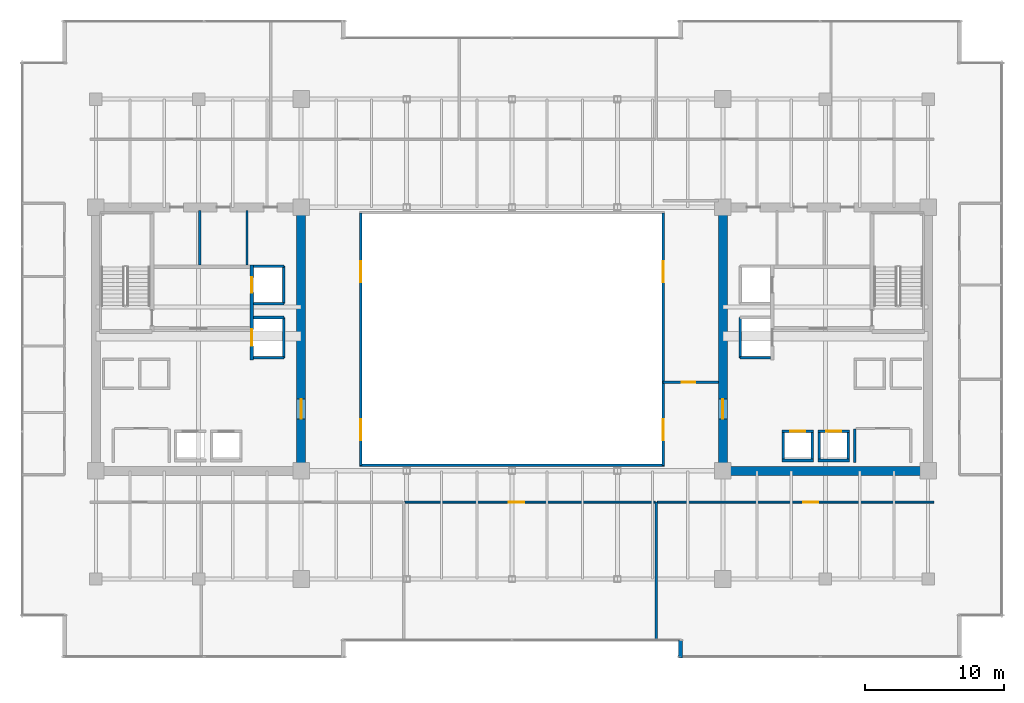
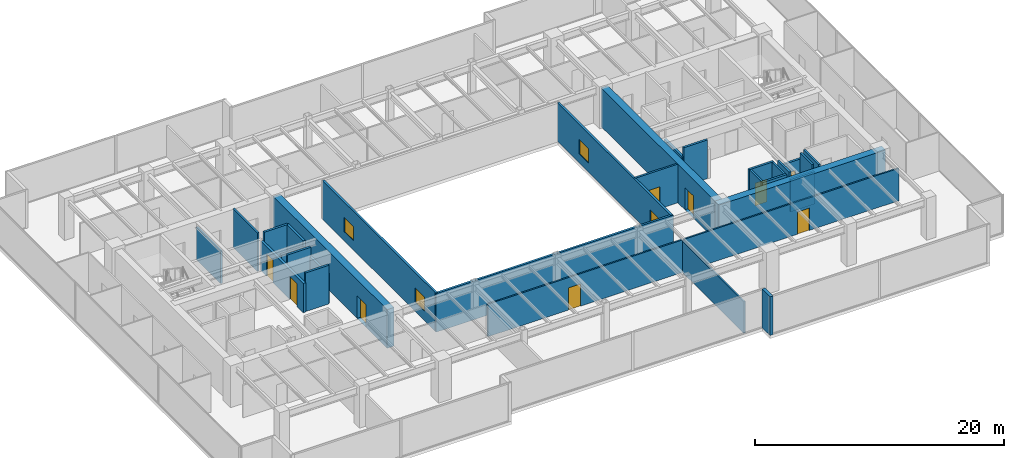
# One storey, part 26 of 31: 31 walls, 9 doors, 4 windows, 13 openings.
"""IFC4 building model written with IfcOpenShell, lengths in metres."""

from ifc_helpers import new_model, si_unit, direction, frame, frame_2d, origin, place, context, subcontext, project, spatial, rectangle, extrude, source, transform, mapped, material, layer, layer_set, type_object, type_shapes, element, fill, save


model = new_model("IFC4")

# Units and contexts
model_context = context("Model", 3, precision=1e-05, world=origin(), true_north=direction((0.0, 1.0)))
body_context = subcontext(model_context, "Body", "Model", "MODEL_VIEW")
ifc_project = project(units=[si_unit("LENGTHUNIT", "METRE"), si_unit("AREAUNIT", "SQUARE_METRE"), si_unit("VOLUMEUNIT", "CUBIC_METRE"), si_unit("PLANEANGLEUNIT", "RADIAN"), si_unit("MASSUNIT", "GRAM", prefix="KILO")], contexts=[model_context])

# Site, building, storey
site_placement = place(None, origin())
site = spatial("IfcSite", under=ifc_project, at=site_placement, CompositionType="ELEMENT")
building_placement = place(site_placement, origin())
building = spatial("IfcBuilding", under=site, at=building_placement, Name="Haelvirn Gate Laboratories", CompositionType="ELEMENT")
storey_placement = place(building_placement, frame((0.0, 0.0, 150.199951171875)))
storey = spatial("IfcBuildingStorey", under=building, at=storey_placement, Name="L36", CompositionType="ELEMENT", Elevation=150.199951171875)

# Walls
ifc_material_1 = material(Name="Thermally-broken bronze aluminium rainscreen & mineral wool", Category="aluminium")
ifc_layer_1 = layer(ifc_material_1, 0.280029296875, Name="EW-TERR-280")
ifc_layer_set_1 = layer_set([ifc_layer_1], Name="Thermally-broken bronze aluminium rainscreen & mineral wool")
wall_type_1 = type_object("IfcWallType", Name="EW-TERR-280", PredefinedType="STANDARD", material=ifc_layer_set_1)
wall_1_placement = place(storey_placement, frame((49.5400390625, 2.587890625, 0.0), z_axis=(0.0, 0.0, 1.0), x_axis=(0.0, -1.0, 0.0)))
element("IfcWall", 1, at=wall_1_placement, inside=storey, type_object=wall_type_1, Name="L36 Atrium Recess Bronze Return Wall 03", PredefinedType="STANDARD", context=body_context, shape_type="SweptSolid", body=[
    extrude(rectangle(XDim=1.287841796875, YDim=0.280029296875, at=frame_2d((0.64404296875, 0.0))), origin(), (0.0, 0.0, 1.0), 3.7900390625),
])
ifc_material_2 = material(Name="Double-layer acoustic gypsum laboratory partition", Category="gypsum")
ifc_layer_2 = layer(ifc_material_2, 0.159912109375, Name="IW-ACOUST-160")
ifc_layer_set_2 = layer_set([ifc_layer_2], Name="Double-layer acoustic gypsum laboratory partition")
wall_type_2 = type_object("IfcWallType", Name="IW-ACOUST-160", PredefinedType="PARTITIONING", material=ifc_layer_set_2)
wall_2_placement = place(storey_placement, frame((47.800048828125, 2.610107421875, 0.0), z_axis=(0.0, 0.0, 1.0), x_axis=(0.0, 1.0, 0.0)))
element("IfcWall", 2, at=wall_2_placement, inside=storey, type_object=wall_type_2, Name="L36 Interior Wall IW-L36-SDIV-03", PredefinedType="PARTITIONING", context=body_context, shape_type="SweptSolid", body=[
    extrude(rectangle(XDim=9.929931640625, YDim=0.159912109375, at=frame_2d((4.96484375, 0.0))), origin(), (0.0, 0.0, 1.0), 3.074951171875),
])

# Wall, opening, door
ifc_material_3 = material(Name="Fire-rated acoustic gypsum board partition", Category="gypsum")
ifc_layer_3 = layer(ifc_material_3, 0.175048828125, Name="IW-ACOUST-180")
ifc_layer_set_3 = layer_set([ifc_layer_3], Name="Fire-rated acoustic gypsum board partition")
wall_type_3 = type_object("IfcWallType", Name="IW-ACOUST-180", PredefinedType="PARTITIONING", material=ifc_layer_set_3)
wall_3_placement = place(storey_placement, frame((48.300048828125, 21.179931640625, 0.0), z_axis=(0.0, 0.0, 1.0), x_axis=(1.0, 0.0, 0.0)))
wall_3 = element("IfcWall", 3, at=wall_3_placement, inside=storey, type_object=wall_type_3, Name="L36 Interior Wall IW-L36-ASEM-S", PredefinedType="PARTITIONING", context=body_context, shape_type="SweptSolid", body=[
    extrude(rectangle(XDim=3.974853515625, YDim=0.175048828125, at=frame_2d((1.9873046875, 0.0))), origin(), (0.0, 0.0, 1.0), 3.7900390625),
])
opening_1_placement = place(wall_3_placement, frame((1.35009765625, 0.0, 0.0)))
opening_1 = element("IfcOpeningElement", 4, at=opening_1_placement, cuts=wall_3, Name="Opening FD4", PredefinedType="OPENING", context=body_context, shape_type="SweptSolid", body=[
    extrude(rectangle(XDim=0.949951171875, YDim=2.14990234375, at=frame_2d((0.47509765625, 1.074951171875))), frame((0.0, 0.09765625, 0.0), z_axis=(0.0, -1.0, 0.0), x_axis=(1.0, 0.0, 0.0)), (0.0, 0.0, 1.0), 0.195068359375),
])
ifc_material_4 = material(Name="Fire-rated steel SM355 core service door", Category="steel")
door_type_1 = type_object("IfcDoorType", Name="DR-FD-950", OperationType="NOTDEFINED", PredefinedType="DOOR", material=ifc_material_4)
shared_shape_1 = source(origin(), body_context, "Body", "SweptSolid", [
    extrude(rectangle(XDim=0.949951171875, YDim=2.14990234375, at=frame_2d((0.47509765625, 1.074951171875))), frame((0.0, 0.02490234375, 0.0), z_axis=(0.0, -1.0, 0.0), x_axis=(1.0, 0.0, 0.0)), (0.0, 0.0, 1.0), 0.050048828125),
])
type_shapes(door_type_1, [shared_shape_1])
door_1_placement = place(opening_1_placement, origin())
door_1 = element("IfcDoor", 5, at=door_1_placement, inside=storey, type_object=door_type_1, Name="L36 Atrium Bioinformatics Suite Door", OperationType="SINGLE_SWING_LEFT", OverallHeight=2.14990234375, OverallWidth=0.949951171875, PredefinedType="DOOR", context=body_context, shape_type="MappedRepresentation", body=[
    mapped(shared_shape_1, transform((0.0, 0.0, 0.0), scale=1.0)),
])
fill(opening_1, door_1)

# Wall, openings, windows
ifc_material_5 = material(Name="Tempered fire-rated borosilicate glass & anodised aluminium", Category="aluminium")
ifc_layer_4 = layer(ifc_material_5, 0.195068359375, Name="IW-GLAZ-200")
ifc_layer_set_4 = layer_set([ifc_layer_4], Name="Tempered fire-rated borosilicate glass & anodised aluminium")
wall_type_4 = type_object("IfcWallType", Name="IW-GLAZ-200", PredefinedType="SOLIDWALL", material=ifc_layer_set_4)
wall_4_placement = place(storey_placement, frame((26.5, 15.199951171875, 0.0), z_axis=(0.0, 0.0, 1.0), x_axis=(0.0, 1.0, 0.0)))
wall_4 = element("IfcWall", 6, at=wall_4_placement, inside=storey, type_object=wall_type_4, Name="L36 Interior Wall IW-L36-ATRIUM-W", PredefinedType="SOLIDWALL", context=body_context, shape_type="SweptSolid", body=[
    extrude(rectangle(XDim=18.199951171875, YDim=0.195068359375, at=frame_2d((9.10009765625, 0.0))), origin(), (0.0, 0.0, 1.0), 3.7900390625),
])
opening_2_placement = place(wall_4_placement, frame((1.800048828125, 0.0, 0.89990234375)))
opening_2 = element("IfcOpeningElement", 7, at=opening_2_placement, cuts=wall_4, Name="Opening W5", PredefinedType="OPENING", context=body_context, shape_type="SweptSolid", body=[
    extrude(rectangle(XDim=1.5, YDim=1.39990234375, at=frame_2d((0.75, 0.699951171875))), frame((0.0, 0.107421875, 0.0), z_axis=(0.0, -1.0, 0.0), x_axis=(1.0, 0.0, 0.0)), (0.0, 0.0, 1.0), 0.215087890625),
])
opening_3_placement = place(wall_4_placement, frame((13.199951171875, 0.0, 0.89990234375)))
opening_3 = element("IfcOpeningElement", 8, at=opening_3_placement, cuts=wall_4, Name="Opening W5", PredefinedType="OPENING", context=body_context, shape_type="SweptSolid", body=[
    extrude(rectangle(XDim=1.5, YDim=1.39990234375, at=frame_2d((0.75, 0.699951171875))), frame((0.0, 0.107421875, 0.0), z_axis=(0.0, -1.0, 0.0), x_axis=(1.0, 0.0, 0.0)), (0.0, 0.0, 1.0), 0.215087890625),
])
ifc_material_6 = material(Name="Fire-rated EI 120 borosilicate atrium vision glazing", Category="glass")
window_type = type_object("IfcWindowType", Name="WN-ATR-1500", PartitioningType="SINGLE_PANEL", PredefinedType="WINDOW", material=ifc_material_6)
shared_shape_2 = source(origin(), body_context, "Body", "SweptSolid", [
    extrude(rectangle(XDim=1.5, YDim=1.39990234375, at=frame_2d((0.75, 0.699951171875))), frame((0.0, 0.030029296875, 0.0), z_axis=(0.0, -1.0, 0.0), x_axis=(1.0, 0.0, 0.0)), (0.0, 0.0, 1.0), 0.06005859375),
])
type_shapes(window_type, [shared_shape_2])
window_1_placement = place(opening_2_placement, origin())
window_1 = element("IfcWindow", 9, at=window_1_placement, inside=storey, type_object=window_type, Name="L36 Atrium Observation Window 1", OverallHeight=1.39990234375, OverallWidth=1.5, PartitioningType="SINGLE_PANEL", PredefinedType="WINDOW", context=body_context, shape_type="MappedRepresentation", body=[
    mapped(shared_shape_2, transform((0.0, 0.0, 0.0), scale=1.0)),
])
fill(opening_2, window_1)
window_2_placement = place(opening_3_placement, origin())
window_2 = element("IfcWindow", 10, at=window_2_placement, inside=storey, type_object=window_type, Name="L36 Atrium Observation Window 2", OverallHeight=1.39990234375, OverallWidth=1.5, PartitioningType="SINGLE_PANEL", PredefinedType="WINDOW", context=body_context, shape_type="MappedRepresentation", body=[
    mapped(shared_shape_2, transform((0.0, 0.0, 0.0), scale=1.0)),
])
fill(opening_3, window_2)

wall_5_placement = place(storey_placement, frame((48.300048828125, 15.199951171875, 0.0), z_axis=(0.0, 0.0, 1.0), x_axis=(0.0, 1.0, 0.0)))
wall_5 = element("IfcWall", 11, at=wall_5_placement, inside=storey, type_object=wall_type_4, Name="L36 Interior Wall IW-L36-ATRIUM-E", PredefinedType="SOLIDWALL", context=body_context, shape_type="SweptSolid", body=[
    extrude(rectangle(XDim=18.199951171875, YDim=0.195068359375, at=frame_2d((9.10009765625, 0.0))), origin(), (0.0, 0.0, 1.0), 3.7900390625),
])
opening_4_placement = place(wall_5_placement, frame((1.800048828125, 0.0, 0.89990234375)))
opening_4 = element("IfcOpeningElement", 12, at=opening_4_placement, cuts=wall_5, Name="Opening W5", PredefinedType="OPENING", context=body_context, shape_type="SweptSolid", body=[
    extrude(rectangle(XDim=1.5, YDim=1.39990234375, at=frame_2d((0.75, 0.699951171875))), frame((0.0, 0.107421875, 0.0), z_axis=(0.0, -1.0, 0.0), x_axis=(1.0, 0.0, 0.0)), (0.0, 0.0, 1.0), 0.215087890625),
])
opening_5_placement = place(wall_5_placement, frame((13.199951171875, 0.0, 0.89990234375)))
opening_5 = element("IfcOpeningElement", 13, at=opening_5_placement, cuts=wall_5, Name="Opening W5", PredefinedType="OPENING", context=body_context, shape_type="SweptSolid", body=[
    extrude(rectangle(XDim=1.5, YDim=1.39990234375, at=frame_2d((0.75, 0.699951171875))), frame((0.0, 0.107421875, 0.0), z_axis=(0.0, -1.0, 0.0), x_axis=(1.0, 0.0, 0.0)), (0.0, 0.0, 1.0), 0.215087890625),
])
window_3_placement = place(opening_4_placement, origin())
window_3 = element("IfcWindow", 14, at=window_3_placement, inside=storey, type_object=window_type, Name="L36 Atrium Observation Window 1", OverallHeight=1.39990234375, OverallWidth=1.5, PartitioningType="SINGLE_PANEL", PredefinedType="WINDOW", context=body_context, shape_type="MappedRepresentation", body=[
    mapped(shared_shape_2, transform((0.0, 0.0, 0.0), scale=1.0)),
])
fill(opening_4, window_3)
window_4_placement = place(opening_5_placement, origin())
window_4 = element("IfcWindow", 15, at=window_4_placement, inside=storey, type_object=window_type, Name="L36 Atrium Observation Window 2", OverallHeight=1.39990234375, OverallWidth=1.5, PartitioningType="SINGLE_PANEL", PredefinedType="WINDOW", context=body_context, shape_type="MappedRepresentation", body=[
    mapped(shared_shape_2, transform((0.0, 0.0, 0.0), scale=1.0)),
])
fill(opening_5, window_4)

# Wall
wall_6_placement = place(storey_placement, frame((26.39990234375, 15.199951171875, 0.0), z_axis=(0.0, 0.0, 1.0), x_axis=(1.0, 0.0, 0.0)))
element("IfcWall", 16, at=wall_6_placement, inside=storey, type_object=wall_type_4, Name="L36 Interior Wall IW-L36-ATRIUM-S", PredefinedType="SOLIDWALL", context=body_context, shape_type="SweptSolid", body=[
    extrude(rectangle(XDim=22.0, YDim=0.195068359375, at=frame_2d((11.0, 0.0))), origin(), (0.0, 0.0, 1.0), 3.7900390625),
])

# Wall, opening, door
ifc_material_7 = material(Name="Acoustic mineral-wool gypsum board partition", Category="gypsum")
ifc_layer_5 = layer(ifc_material_7, 0.139892578125, Name="IW-PART-140")
ifc_layer_set_5 = layer_set([ifc_layer_5], Name="Acoustic mineral-wool gypsum board partition")
wall_type_5 = type_object("IfcWallType", Name="IW-PART-140", PredefinedType="PARTITIONING", material=ifc_layer_set_5)
wall_7_placement = place(storey_placement, frame((29.679931640625, 12.5400390625, 0.0), z_axis=(0.0, 0.0, 1.0), x_axis=(1.0, 0.0, 0.0)))
wall_7 = element("IfcWall", 17, at=wall_7_placement, inside=storey, type_object=wall_type_5, Name="L36 Interior Wall IW-L36-SCORR-03", PredefinedType="PARTITIONING", context=body_context, shape_type="SweptSolid", body=[
    extrude(rectangle(XDim=18.0400390625, YDim=0.139892578125, at=frame_2d((9.02001953125, 0.0))), origin(), (0.0, 0.0, 1.0), 3.18701171875),
])
opening_6_placement = place(wall_7_placement, frame((7.49560546875, 0.0, 0.0)))
opening_6 = element("IfcOpeningElement", 18, at=opening_6_placement, cuts=wall_7, Name="Opening D1", PredefinedType="OPENING", context=body_context, shape_type="SweptSolid", body=[
    extrude(rectangle(XDim=1.10009765625, YDim=2.179931640625, at=frame_2d((0.550048828125, 1.08984375))), frame((0.0, 0.080078125, 0.0), z_axis=(0.0, -1.0, 0.0), x_axis=(1.0, 0.0, 0.0)), (0.0, 0.0, 1.0), 0.159912109375),
])
ifc_material_8 = material(Name="Vision-panel acoustic solid-core timber lab door", Category="wood")
door_type_2 = type_object("IfcDoorType", Name="DR-LAB-1100", OperationType="NOTDEFINED", PredefinedType="DOOR", material=ifc_material_8)
shared_shape_3 = source(origin(), body_context, "Body", "SweptSolid", [
    extrude(rectangle(XDim=1.10009765625, YDim=2.179931640625, at=frame_2d((0.550048828125, 1.08984375))), frame((0.0, 0.02490234375, 0.0), z_axis=(0.0, -1.0, 0.0), x_axis=(1.0, 0.0, 0.0)), (0.0, 0.0, 1.0), 0.050048828125),
])
type_shapes(door_type_2, [shared_shape_3])
door_2_placement = place(opening_6_placement, origin())
door_2 = element("IfcDoor", 19, at=door_2_placement, inside=storey, type_object=door_type_2, Name="L36 Protocol Briefing Training Room Door S3", OperationType="SINGLE_SWING_LEFT", OverallHeight=2.179931640625, OverallWidth=1.10009765625, PredefinedType="DOOR", context=body_context, shape_type="MappedRepresentation", body=[
    mapped(shared_shape_3, transform((0.0, 0.0, 0.0), scale=1.0)),
])
fill(opening_6, door_2)

wall_8_placement = place(storey_placement, frame((47.8798828125, 12.5400390625, 0.0), z_axis=(0.0, 0.0, 1.0), x_axis=(1.0, 0.0, 0.0)))
wall_8 = element("IfcWall", 20, at=wall_8_placement, inside=storey, type_object=wall_type_5, Name="L36 Interior Wall IW-L36-SCORR-04", PredefinedType="PARTITIONING", context=body_context, shape_type="SweptSolid", body=[
    extrude(rectangle(XDim=19.940185546875, YDim=0.139892578125, at=frame_2d((9.97021484375, 0.0))), origin(), (0.0, 0.0, 1.0), 3.18701171875),
])
opening_7_placement = place(wall_8_placement, frame((10.50830078125, 0.0, 0.0)))
opening_7 = element("IfcOpeningElement", 21, at=opening_7_placement, cuts=wall_8, Name="Opening D1", PredefinedType="OPENING", context=body_context, shape_type="SweptSolid", body=[
    extrude(rectangle(XDim=1.10009765625, YDim=2.179931640625, at=frame_2d((0.550048828125, 1.08984375))), frame((0.0, 0.080078125, 0.0), z_axis=(0.0, -1.0, 0.0), x_axis=(1.0, 0.0, 0.0)), (0.0, 0.0, 1.0), 0.159912109375),
])
door_3_placement = place(opening_7_placement, origin())
door_3 = element("IfcDoor", 22, at=door_3_placement, inside=storey, type_object=door_type_2, Name="L36 Peer-Review Seminar Room Door S4", OperationType="SINGLE_SWING_RIGHT", OverallHeight=2.179931640625, OverallWidth=1.10009765625, PredefinedType="DOOR", context=body_context, shape_type="MappedRepresentation", body=[
    mapped(shared_shape_3, transform((0.0, 0.0, 0.0), scale=1.0)),
])
fill(opening_7, door_3)

# Walls
ifc_material_9 = material(Name="Cement-board restroom plumbing chase wall", Category="gypsum")
ifc_layer_6 = layer(ifc_material_9, 0.155029296875, Name="IW-PLUMB-160")
ifc_layer_set_6 = layer_set([ifc_layer_6], Name="Cement-board restroom plumbing chase wall")
wall_type_6 = type_object("IfcWallType", Name="IW-PLUMB-160", PredefinedType="PLUMBINGWALL", material=ifc_layer_set_6)
wall_9_placement = place(storey_placement, frame((14.889892578125, 29.64990234375, 0.0), z_axis=(0.0, 0.0, 1.0), x_axis=(0.0, 1.0, 0.0)))
element("IfcWall", 23, at=wall_9_placement, inside=storey, type_object=wall_type_6, Name="L36 Interior Wall IW-L36-W-CDIV-1", PredefinedType="PLUMBINGWALL", context=body_context, shape_type="SweptSolid", body=[
    extrude(rectangle(XDim=3.93017578125, YDim=0.155029296875, at=frame_2d((1.965087890625, 0.0))), origin(), (0.0, 0.0, 1.0), 3.18701171875),
])
wall_10_placement = place(storey_placement, frame((18.2900390625, 29.64990234375, 0.0), z_axis=(0.0, 0.0, 1.0), x_axis=(0.0, 1.0, 0.0)))
element("IfcWall", 24, at=wall_10_placement, inside=storey, type_object=wall_type_6, Name="L36 Interior Wall IW-L36-W-CDIV-2", PredefinedType="PLUMBINGWALL", context=body_context, shape_type="SweptSolid", body=[
    extrude(rectangle(XDim=3.93017578125, YDim=0.155029296875, at=frame_2d((1.965087890625, 0.0))), origin(), (0.0, 0.0, 1.0), 3.7900390625),
])
ifc_material_10 = material(Name="Concrete C40/50", Category="concrete")
ifc_layer_7 = layer(ifc_material_10, 0.179931640625, Name="IW-SHAFT-180")
ifc_layer_set_7 = layer_set([ifc_layer_7], Name="Concrete C40/50")
wall_type_7 = type_object("IfcWallType", Name="IW-SHAFT-180", PredefinedType="SOLIDWALL", material=ifc_layer_set_7)
for number, where, z_axis, x_axis, name in (
    (25, (59.550048828125, 15.64990234375, 0.0), (0.0, 0.0, 1.0), (0.0, 1.0, 0.0), "L36 Interior Wall IW-L36-PL7-SD"),
    (26, (61.64990234375, 15.64990234375, 0.0), (0.0, 0.0, 1.0), (0.0, 1.0, 0.0), "L36 Interior Wall IW-L36-PL7-SDE"),
    (27, (56.949951171875, 15.64990234375, 0.0), (0.0, 0.0, 1.0), (0.0, 1.0, 0.0), "L36 Interior Wall IW-L36-PL8-SD"),
    (28, (59.050048828125, 15.64990234375, 0.0), (0.0, 0.0, 1.0), (0.0, 1.0, 0.0), "L36 Interior Wall IW-L36-PL8-SDE"),
):
    element("IfcWall", number, at=place(storey_placement, frame(where, z_axis=z_axis, x_axis=x_axis)), inside=storey, type_object=wall_type_7, Name=name, PredefinedType="SOLIDWALL", context=body_context, shape_type="SweptSolid", body=[
        extrude(rectangle(XDim=1.900146484375, YDim=0.179931640625, at=frame_2d((0.9501953125, 0.0))), origin(), (0.0, 0.0, 1.0), 3.7900390625),
    ])
wall_11_placement = place(storey_placement, frame((62.110107421875, 15.39990234375, 0.0), z_axis=(0.0, 0.0, 1.0), x_axis=(0.0, 1.0, 0.0)))
element("IfcWall", 29, at=wall_11_placement, inside=storey, type_object=wall_type_7, Name="L36 Interior Wall IW-L36-E-FREED-LE-1", PredefinedType="SOLIDWALL", context=body_context, shape_type="SweptSolid", body=[
    extrude(rectangle(XDim=2.400146484375, YDim=0.179931640625, at=frame_2d((1.2001953125, 0.0))), origin(), (0.0, 0.0, 1.0), 3.7900390625),
])
ifc_layer_8 = layer(ifc_material_10, 0.199951171875, Name="IW-SHAFT-200")
ifc_layer_set_8 = layer_set([ifc_layer_8], Name="Concrete C40/50")
wall_type_8 = type_object("IfcWallType", Name="IW-SHAFT-200", PredefinedType="SOLIDWALL", material=ifc_layer_set_8)
wall_12_placement = place(storey_placement, frame((20.949951171875, 26.85009765625, 0.0), z_axis=(0.0, 0.0, 1.0), x_axis=(0.0, 1.0, 0.0)))
element("IfcWall", 30, at=wall_12_placement, inside=storey, type_object=wall_type_8, Name="L36 Interior Wall IW-L36-FL1-BK", PredefinedType="SOLIDWALL", context=body_context, shape_type="SweptSolid", body=[
    extrude(rectangle(XDim=2.699951171875, YDim=0.199951171875, at=frame_2d((1.35009765625, 0.0))), origin(), (0.0, 0.0, 1.0), 3.7900390625),
])
wall_13_placement = place(storey_placement, frame((18.760009765625, 29.550048828125, 0.0), z_axis=(0.0, 0.0, 1.0), x_axis=(1.0, 0.0, 0.0)))
element("IfcWall", 31, at=wall_13_placement, inside=storey, type_object=wall_type_8, Name="L36 Interior Wall IW-L36-FL1-N", PredefinedType="SOLIDWALL", context=body_context, shape_type="SweptSolid", body=[
    extrude(rectangle(XDim=2.18994140625, YDim=0.199951171875, at=frame_2d((1.094970703125, 0.0))), origin(), (0.0, 0.0, 1.0), 3.7900390625),
])
wall_14_placement = place(storey_placement, frame((18.760009765625, 26.85009765625, 0.0), z_axis=(0.0, 0.0, 1.0), x_axis=(1.0, 0.0, 0.0)))
element("IfcWall", 32, at=wall_14_placement, inside=storey, type_object=wall_type_8, Name="L36 Interior Wall IW-L36-FL1-S", PredefinedType="SOLIDWALL", context=body_context, shape_type="SweptSolid", body=[
    extrude(rectangle(XDim=2.18994140625, YDim=0.199951171875, at=frame_2d((1.094970703125, 0.0))), origin(), (0.0, 0.0, 1.0), 3.18701171875),
])
wall_15_placement = place(storey_placement, frame((20.949951171875, 22.949951171875, 0.0), z_axis=(0.0, 0.0, 1.0), x_axis=(0.0, 1.0, 0.0)))
element("IfcWall", 33, at=wall_15_placement, inside=storey, type_object=wall_type_8, Name="L36 Interior Wall IW-L36-SL1-BK", PredefinedType="SOLIDWALL", context=body_context, shape_type="SweptSolid", body=[
    extrude(rectangle(XDim=2.900146484375, YDim=0.199951171875, at=frame_2d((1.4501953125, 0.0))), origin(), (0.0, 0.0, 1.0), 2.875),
])
for number, where, z_axis, x_axis, name in (
    (34, (18.760009765625, 25.85009765625, 0.0), (0.0, 0.0, 1.0), (1.0, 0.0, 0.0), "L36 Interior Wall IW-L36-SL1-N"),
    (35, (18.760009765625, 22.949951171875, 0.0), (0.0, 0.0, 1.0), (1.0, 0.0, 0.0), "L36 Interior Wall IW-L36-SL1-S"),
):
    element("IfcWall", number, at=place(storey_placement, frame(where, z_axis=z_axis, x_axis=x_axis)), inside=storey, type_object=wall_type_8, Name=name, PredefinedType="SOLIDWALL", context=body_context, shape_type="SweptSolid", body=[
        extrude(rectangle(XDim=2.18994140625, YDim=0.199951171875, at=frame_2d((1.094970703125, 0.0))), origin(), (0.0, 0.0, 1.0), 3.7900390625),
    ])

# Wall, opening, door
wall_16_placement = place(storey_placement, frame((59.469970703125, 17.64990234375, 0.0), z_axis=(0.0, 0.0, 1.0), x_axis=(1.0, 0.0, 0.0)))
wall_16 = element("IfcWall", 36, at=wall_16_placement, inside=storey, type_object=wall_type_8, Name="L36 Interior Wall IW-L36-PL7-FR", PredefinedType="SOLIDWALL", context=body_context, shape_type="SweptSolid", body=[
    extrude(rectangle(XDim=2.260009765625, YDim=0.199951171875, at=frame_2d((1.1298828125, 0.0))), origin(), (0.0, 0.0, 1.0), 3.18701171875),
])
opening_8_placement = place(wall_16_placement, frame((0.580078125, 0.0, 0.0)))
opening_8 = element("IfcOpeningElement", 37, at=opening_8_placement, cuts=wall_16, Name="Opening LD2", PredefinedType="OPENING", context=body_context, shape_type="SweptSolid", body=[
    extrude(rectangle(XDim=1.10009765625, YDim=2.219970703125, at=frame_2d((0.550048828125, 1.10986328125))), frame((0.0, 0.10986328125, 0.0), z_axis=(0.0, -1.0, 0.0), x_axis=(1.0, 0.0, 0.0)), (0.0, 0.0, 1.0), 0.219970703125),
])
ifc_material_11 = material(Name="Bronze stainless 316L sliding lift landing door")
door_type_3 = type_object("IfcDoorType", Name="DR-LD-1100", OperationType="NOTDEFINED", PredefinedType="USERDEFINED", material=ifc_material_11)
shared_shape_4 = source(origin(), body_context, "Body", "SweptSolid", [
    extrude(rectangle(XDim=1.10009765625, YDim=2.219970703125, at=frame_2d((0.550048828125, 1.10986328125))), frame((0.0, 0.02490234375, 0.0), z_axis=(0.0, -1.0, 0.0), x_axis=(1.0, 0.0, 0.0)), (0.0, 0.0, 1.0), 0.050048828125),
])
type_shapes(door_type_3, [shared_shape_4])
door_4_placement = place(opening_8_placement, origin())
door_4 = element("IfcDoor", 38, at=door_4_placement, inside=storey, type_object=door_type_3, Name="L36 Passenger Lift PL7 Landing Door", ObjectType="LANDING_DOOR", OperationType="SLIDING_TO_LEFT", OverallHeight=2.219970703125, OverallWidth=1.10009765625, PredefinedType="USERDEFINED", context=body_context, shape_type="MappedRepresentation", body=[
    mapped(shared_shape_4, transform((0.0, 0.0, 0.0), scale=1.0)),
])
fill(opening_8, door_4)

# Wall
wall_17_placement = place(storey_placement, frame((59.469970703125, 15.550048828125, 0.0), z_axis=(0.0, 0.0, 1.0), x_axis=(1.0, 0.0, 0.0)))
element("IfcWall", 39, at=wall_17_placement, inside=storey, type_object=wall_type_8, Name="L36 Interior Wall IW-L36-PL7-BK", PredefinedType="SOLIDWALL", context=body_context, shape_type="SweptSolid", body=[
    extrude(rectangle(XDim=2.260009765625, YDim=0.199951171875, at=frame_2d((1.1298828125, 0.0))), origin(), (0.0, 0.0, 1.0), 3.18701171875),
])

# Wall, opening, door
wall_18_placement = place(storey_placement, frame((56.8701171875, 17.64990234375, 0.0), z_axis=(0.0, 0.0, 1.0), x_axis=(1.0, 0.0, 0.0)))
wall_18 = element("IfcWall", 40, at=wall_18_placement, inside=storey, type_object=wall_type_8, Name="L36 Interior Wall IW-L36-PL8-FR", PredefinedType="SOLIDWALL", context=body_context, shape_type="SweptSolid", body=[
    extrude(rectangle(XDim=2.259765625, YDim=0.199951171875, at=frame_2d((1.1298828125, 0.0))), origin(), (0.0, 0.0, 1.0), 3.7900390625),
])
opening_9_placement = place(wall_18_placement, frame((0.580078125, 0.0, 0.0)))
opening_9 = element("IfcOpeningElement", 41, at=opening_9_placement, cuts=wall_18, Name="Opening LD2", PredefinedType="OPENING", context=body_context, shape_type="SweptSolid", body=[
    extrude(rectangle(XDim=1.10009765625, YDim=2.219970703125, at=frame_2d((0.550048828125, 1.10986328125))), frame((0.0, 0.10986328125, 0.0), z_axis=(0.0, -1.0, 0.0), x_axis=(1.0, 0.0, 0.0)), (0.0, 0.0, 1.0), 0.219970703125),
])
door_5_placement = place(opening_9_placement, origin())
door_5 = element("IfcDoor", 42, at=door_5_placement, inside=storey, type_object=door_type_3, Name="L36 Passenger Lift PL8 Landing Door", ObjectType="LANDING_DOOR", OperationType="SLIDING_TO_RIGHT", OverallHeight=2.219970703125, OverallWidth=1.10009765625, PredefinedType="USERDEFINED", context=body_context, shape_type="MappedRepresentation", body=[
    mapped(shared_shape_4, transform((0.0, 0.0, 0.0), scale=1.0)),
])
fill(opening_9, door_5)

# Walls
wall_19_placement = place(storey_placement, frame((56.8701171875, 15.550048828125, 0.0), z_axis=(0.0, 0.0, 1.0), x_axis=(1.0, 0.0, 0.0)))
element("IfcWall", 43, at=wall_19_placement, inside=storey, type_object=wall_type_8, Name="L36 Interior Wall IW-L36-PL8-BK", PredefinedType="SOLIDWALL", context=body_context, shape_type="SweptSolid", body=[
    extrude(rectangle(XDim=2.259765625, YDim=0.199951171875, at=frame_2d((1.1298828125, 0.0))), origin(), (0.0, 0.0, 1.0), 3.7900390625),
])
wall_20_placement = place(storey_placement, frame((53.85009765625, 22.949951171875, 0.0), z_axis=(0.0, 0.0, 1.0), x_axis=(0.0, 1.0, 0.0)))
element("IfcWall", 44, at=wall_20_placement, inside=storey, type_object=wall_type_8, Name="L36 Interior Wall IW-L36-SL2-BK", PredefinedType="SOLIDWALL", context=body_context, shape_type="SweptSolid", body=[
    extrude(rectangle(XDim=2.900146484375, YDim=0.199951171875, at=frame_2d((1.4501953125, 0.0))), origin(), (0.0, 0.0, 1.0), 2.875),
])
wall_21_placement = place(storey_placement, frame((53.85009765625, 22.949951171875, 0.0), z_axis=(0.0, 0.0, 1.0), x_axis=(1.0, 0.0, 0.0)))
element("IfcWall", 45, at=wall_21_placement, inside=storey, type_object=wall_type_8, Name="L36 Interior Wall IW-L36-SL2-S", PredefinedType="SOLIDWALL", context=body_context, shape_type="SweptSolid", body=[
    extrude(rectangle(XDim=2.18994140625, YDim=0.199951171875, at=frame_2d((1.094970703125, 0.0))), origin(), (0.0, 0.0, 1.0), 3.7900390625),
])

# Wall, openings, doors
ifc_layer_9 = layer(ifc_material_10, 0.239990234375, Name="IW-SHAFT-240")
ifc_layer_set_9 = layer_set([ifc_layer_9], Name="Concrete C40/50")
wall_type_9 = type_object("IfcWallType", Name="IW-SHAFT-240", PredefinedType="SOLIDWALL", material=ifc_layer_set_9)
wall_22_placement = place(storey_placement, frame((18.639892578125, 22.800048828125, 0.0), z_axis=(0.0, 0.0, 1.0), x_axis=(0.0, 1.0, 0.0)))
wall_22 = element("IfcWall", 46, at=wall_22_placement, inside=storey, type_object=wall_type_9, Name="L36 Interior Wall IW-L36-W-FF-E", PredefinedType="SOLIDWALL", context=body_context, shape_type="SweptSolid", body=[
    extrude(rectangle(XDim=6.849853515625, YDim=0.239990234375, at=frame_2d((3.4248046875, 0.0))), origin(), (0.0, 0.0, 1.0), 2.875),
])
opening_10_placement = place(wall_22_placement, frame((4.85009765625, 0.0, 0.0)))
opening_10 = element("IfcOpeningElement", 47, at=opening_10_placement, cuts=wall_22, Name="Opening LD2", PredefinedType="OPENING", context=body_context, shape_type="SweptSolid", body=[
    extrude(rectangle(XDim=1.10009765625, YDim=2.219970703125, at=frame_2d((0.550048828125, 1.10986328125))), frame((0.0, 0.1298828125, 0.0), z_axis=(0.0, -1.0, 0.0), x_axis=(1.0, 0.0, 0.0)), (0.0, 0.0, 1.0), 0.260009765625),
])
opening_11_placement = place(wall_22_placement, frame((1.0, 0.0, 0.0)))
opening_11 = element("IfcOpeningElement", 48, at=opening_11_placement, cuts=wall_22, Name="Opening LD1", PredefinedType="OPENING", context=body_context, shape_type="SweptSolid", body=[
    extrude(rectangle(XDim=1.199951171875, YDim=2.219970703125, at=frame_2d((0.60009765625, 1.10986328125))), frame((0.0, 0.1298828125, 0.0), z_axis=(0.0, -1.0, 0.0), x_axis=(1.0, 0.0, 0.0)), (0.0, 0.0, 1.0), 0.260009765625),
])
door_6_placement = place(opening_10_placement, origin())
door_6 = element("IfcDoor", 49, at=door_6_placement, inside=storey, type_object=door_type_3, Name="L36 Firefighting Lift FL1 Landing Door", ObjectType="LANDING_DOOR", OperationType="SLIDING_TO_LEFT", OverallHeight=2.219970703125, OverallWidth=1.10009765625, PredefinedType="USERDEFINED", context=body_context, shape_type="MappedRepresentation", body=[
    mapped(shared_shape_4, transform((0.0, 0.0, 0.0), scale=1.0)),
])
fill(opening_10, door_6)
ifc_material_12 = material(Name="Stainless steel 316L sliding goods landing door", Category="steel")
door_type_4 = type_object("IfcDoorType", Name="DR-LD-1200", OperationType="NOTDEFINED", PredefinedType="USERDEFINED", material=ifc_material_12)
shared_shape_5 = source(origin(), body_context, "Body", "SweptSolid", [
    extrude(rectangle(XDim=1.199951171875, YDim=2.219970703125, at=frame_2d((0.60009765625, 1.10986328125))), frame((0.0, 0.02490234375, 0.0), z_axis=(0.0, -1.0, 0.0), x_axis=(1.0, 0.0, 0.0)), (0.0, 0.0, 1.0), 0.050048828125),
])
type_shapes(door_type_4, [shared_shape_5])
door_7_placement = place(opening_11_placement, origin())
door_7 = element("IfcDoor", 50, at=door_7_placement, inside=storey, type_object=door_type_4, Name="L36 Service Lift SL1 Landing Door", ObjectType="LANDING_DOOR", OperationType="SLIDING_TO_RIGHT", OverallHeight=2.219970703125, OverallWidth=1.199951171875, PredefinedType="USERDEFINED", context=body_context, shape_type="MappedRepresentation", body=[
    mapped(shared_shape_5, transform((0.0, 0.0, 0.0), scale=1.0)),
])
fill(opening_11, door_7)

# Wall, opening, door
ifc_material_13 = material(Name="Concrete C60/75", Category="concrete")
ifc_layer_10 = layer(ifc_material_13, 0.64990234375, Name="SW-CORE-650")
ifc_layer_set_10 = layer_set([ifc_layer_10], Name="Concrete C60/75")
wall_type_10 = type_object("IfcWallType", Name="SW-CORE-650", PredefinedType="SHEAR", material=ifc_layer_set_10)
wall_23_placement = place(storey_placement, frame((22.199951171875, 15.125, 0.0), z_axis=(0.0, 0.0, 1.0), x_axis=(0.0, 1.0, 0.0)))
wall_23 = element("IfcWall", 51, at=wall_23_placement, inside=storey, type_object=wall_type_10, Name="L36 W Core Shear Wall E", PredefinedType="SHEAR", context=body_context, shape_type="SweptSolid", body=[
    extrude(rectangle(XDim=18.35009765625, YDim=0.64990234375, at=frame_2d((9.175048828125, 0.0))), origin(), (0.0, 0.0, 1.0), 3.7900390625),
])
opening_12_placement = place(wall_23_placement, frame((3.425048828125, 0.0, 0.0)))
opening_12 = element("IfcOpeningElement", 52, at=opening_12_placement, cuts=wall_23, Name="Opening FD1", PredefinedType="OPENING", context=body_context, shape_type="SweptSolid", body=[
    extrude(rectangle(XDim=1.419921875, YDim=2.199951171875, at=frame_2d((0.7099609375, 1.10009765625))), frame((0.0, 0.3349609375, 0.0), z_axis=(0.0, -1.0, 0.0), x_axis=(1.0, 0.0, 0.0)), (0.0, 0.0, 1.0), 0.669921875),
])
ifc_material_14 = material(Name="Fire-rated double steel SM355 lobby door", Category="steel")
door_type_5 = type_object("IfcDoorType", Name="DR-FD-1400", OperationType="NOTDEFINED", PredefinedType="DOOR", material=ifc_material_14)
shared_shape_6 = source(origin(), body_context, "Body", "SweptSolid", [
    extrude(rectangle(XDim=1.419921875, YDim=2.199951171875, at=frame_2d((0.7099609375, 1.10009765625))), frame((0.0, 0.02490234375, 0.0), z_axis=(0.0, -1.0, 0.0), x_axis=(1.0, 0.0, 0.0)), (0.0, 0.0, 1.0), 0.050048828125),
])
type_shapes(door_type_5, [shared_shape_6])
door_8_placement = place(opening_12_placement, origin())
door_8 = element("IfcDoor", 53, at=door_8_placement, inside=storey, type_object=door_type_5, Name="L36 West Core Lift Lobby Fire Door", OperationType="DOUBLE_DOOR_SINGLE_SWING", OverallHeight=2.199951171875, OverallWidth=1.419921875, PredefinedType="DOOR", context=body_context, shape_type="MappedRepresentation", body=[
    mapped(shared_shape_6, transform((0.0, 0.0, 0.0), scale=1.0)),
])
fill(opening_12, door_8)

# Wall
wall_24_placement = place(storey_placement, frame((52.27490234375, 14.800048828125, 0.0), z_axis=(0.0, 0.0, 1.0), x_axis=(1.0, 0.0, 0.0)))
element("IfcWall", 54, at=wall_24_placement, inside=storey, type_object=wall_type_10, Name="L36 E Core Shear Wall S", PredefinedType="SHEAR", context=body_context, shape_type="SweptSolid", body=[
    extrude(rectangle(XDim=15.4501953125, YDim=0.64990234375, at=frame_2d((7.72509765625, 0.0))), origin(), (0.0, 0.0, 1.0), 3.7900390625),
])

# Wall, opening, door
wall_25_placement = place(storey_placement, frame((52.60009765625, 15.125, 0.0), z_axis=(0.0, 0.0, 1.0), x_axis=(0.0, 1.0, 0.0)))
wall_25 = element("IfcWall", 55, at=wall_25_placement, inside=storey, type_object=wall_type_10, Name="L36 E Core Shear Wall W", PredefinedType="SHEAR", context=body_context, shape_type="SweptSolid", body=[
    extrude(rectangle(XDim=18.35009765625, YDim=0.64990234375, at=frame_2d((9.175048828125, 0.0))), origin(), (0.0, 0.0, 1.0), 3.7900390625),
])
opening_13_placement = place(wall_25_placement, frame((3.425048828125, 0.0, 0.0)))
opening_13 = element("IfcOpeningElement", 56, at=opening_13_placement, cuts=wall_25, Name="Opening FD1", PredefinedType="OPENING", context=body_context, shape_type="SweptSolid", body=[
    extrude(rectangle(XDim=1.419921875, YDim=2.199951171875, at=frame_2d((0.7099609375, 1.10009765625))), frame((0.0, 0.3349609375, 0.0), z_axis=(0.0, -1.0, 0.0), x_axis=(1.0, 0.0, 0.0)), (0.0, 0.0, 1.0), 0.669921875),
])
door_9_placement = place(opening_13_placement, origin())
door_9 = element("IfcDoor", 57, at=door_9_placement, inside=storey, type_object=door_type_5, Name="L36 East Core Lift Lobby Fire Door", OperationType="DOUBLE_DOOR_SINGLE_SWING", OverallHeight=2.199951171875, OverallWidth=1.419921875, PredefinedType="DOOR", context=body_context, shape_type="MappedRepresentation", body=[
    mapped(shared_shape_6, transform((0.0, 0.0, 0.0), scale=1.0)),
])
fill(opening_13, door_9)

save(model, "model.ifc")
